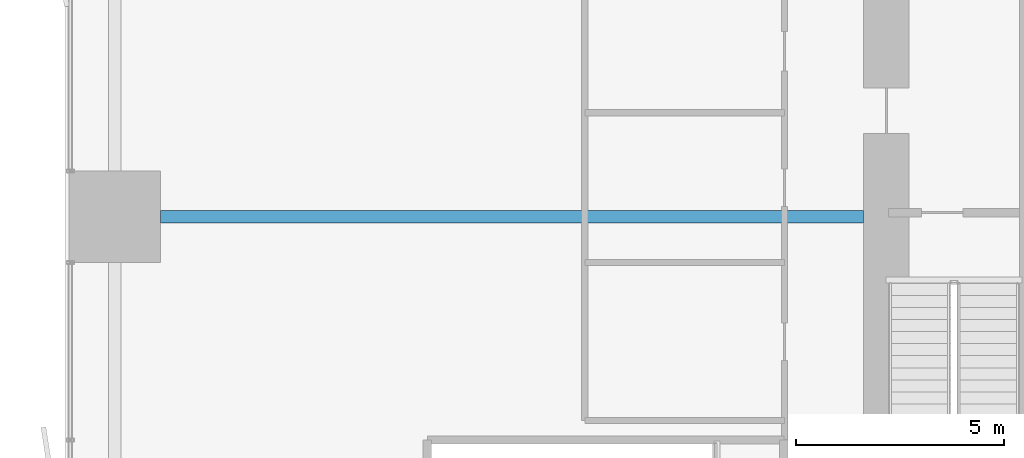
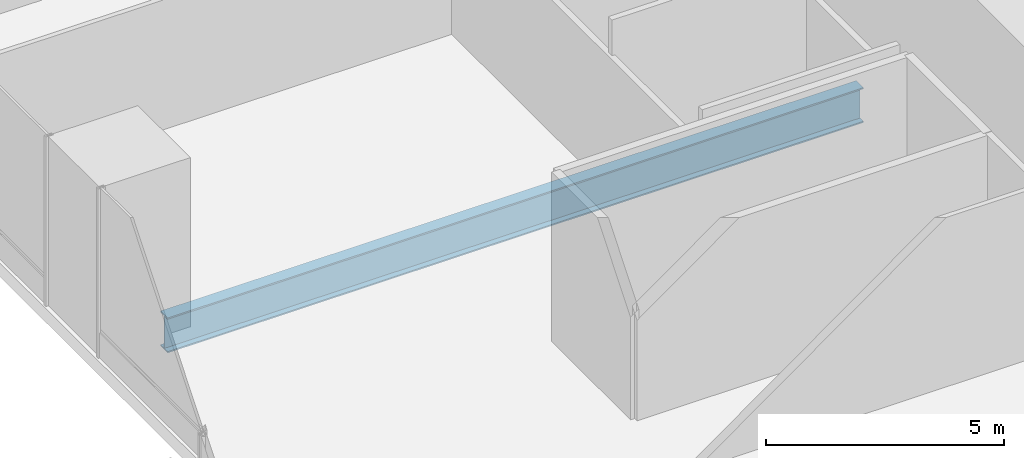
# One storey, part 10 of 24: 1 beam.
"""IFC4 building model written with IfcOpenShell, lengths in metres."""

from ifc_helpers import new_model, si_unit, direction, frame, origin, origin_2d, place, context, subcontext, project, spatial, i_section, extrude, material, material_profile, profile_set, type_object, element, save


model = new_model("IFC4")

# Units and contexts
model_context = context("Model", 3, precision=1e-05, world=origin(), true_north=direction((0.0, 1.0)))
body_context = subcontext(model_context, "Body", "Model", "MODEL_VIEW")
ifc_project = project(units=[si_unit("LENGTHUNIT", "METRE"), si_unit("AREAUNIT", "SQUARE_METRE"), si_unit("VOLUMEUNIT", "CUBIC_METRE"), si_unit("PLANEANGLEUNIT", "RADIAN"), si_unit("MASSUNIT", "GRAM", prefix="KILO")], contexts=[model_context])

# Site, building, storey
site_placement = place(None, origin())
site = spatial("IfcSite", under=ifc_project, at=site_placement, CompositionType="ELEMENT")
building_placement = place(site_placement, origin())
building = spatial("IfcBuilding", under=site, at=building_placement, Name="Belovzor Exchange Tower", CompositionType="ELEMENT")
storey_placement = place(building_placement, frame((0.0, 0.0, 19.199951171875)))
storey = spatial("IfcBuildingStorey", under=building, at=storey_placement, Name="L04", CompositionType="ELEMENT", Elevation=19.199951171875)

# Beam
ifc_material = material(Name="Steel S460", Category="steel")
ifc_material_profile = material_profile(ifc_material, i_section(OverallWidth=0.300048828125, OverallDepth=0.89990234375, WebThickness=0.0185546875, FlangeThickness=0.034912109375, at=origin_2d()))
ifc_profile_set = profile_set([ifc_material_profile], Name="Steel S460")
beam_type = type_object("IfcBeamType", Name="Podium Radial Clear-Span Girder HEB 900", PredefinedType="BEAM", material=ifc_profile_set)
beam_placement = place(storey_placement, frame((19.800048828125, 28.800048828125, -0.800048828125), z_axis=(-1.0, 0.0, 0.0), x_axis=(0.0, -1.0, 0.0)))
element("IfcBeam", 1, at=beam_placement, inside=storey, type_object=beam_type, Name="PG-2 Podium Radial Clear-Span Girder HEB 900", PredefinedType="BEAM", context=body_context, shape_type="SweptSolid", body=[
    extrude(i_section(OverallWidth=0.300048828125, OverallDepth=0.89990234375, WebThickness=0.0185546875, FlangeThickness=0.034912109375, at=origin_2d()), origin(), (0.0, 0.0, 1.0), 16.900146484375),
])

save(model, "model.ifc")
